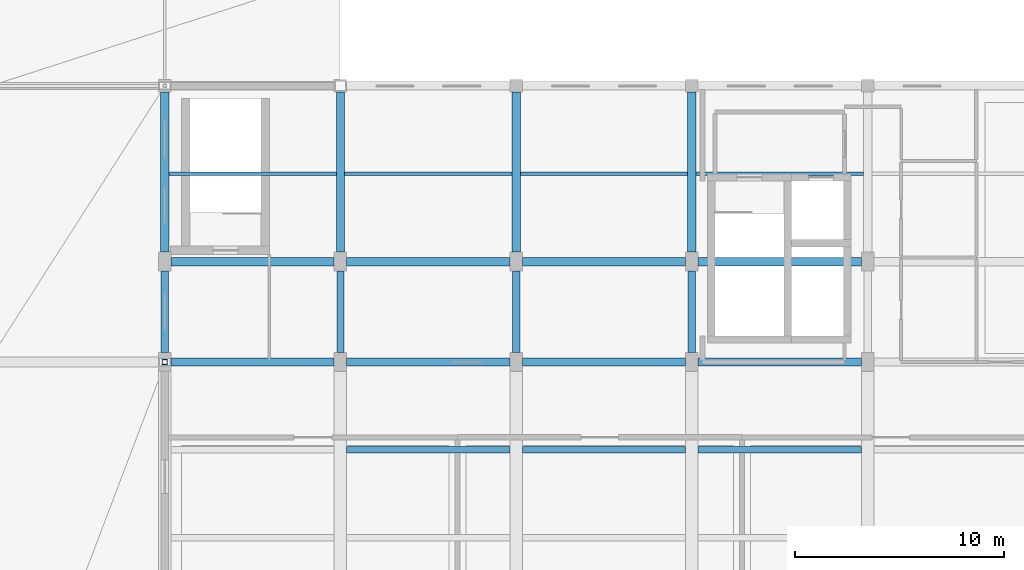
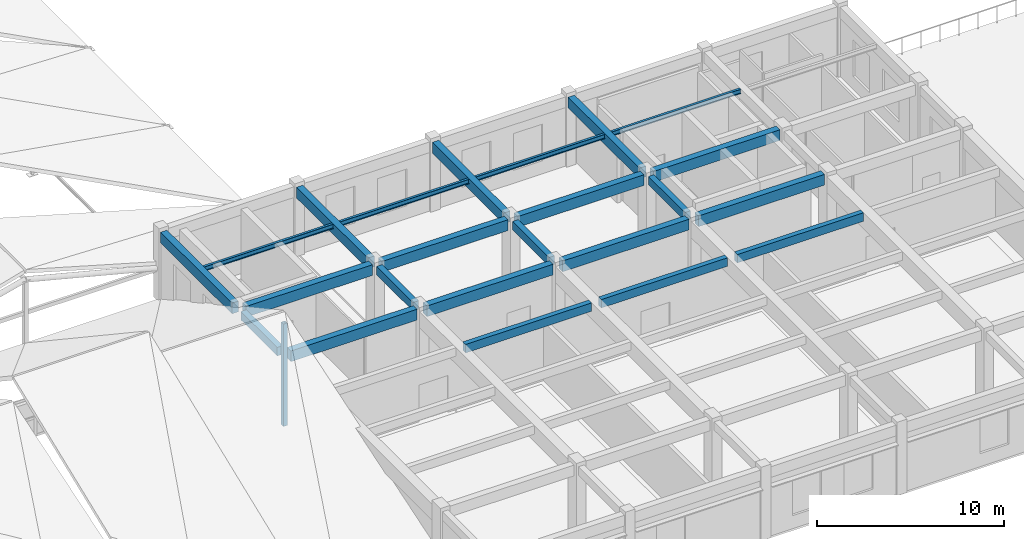
# One storey, part 9 of 76: 23 beams, 1 member.
"""IFC4 building model written with IfcOpenShell, lengths in metres."""

from ifc_helpers import new_model, si_unit, direction, frame, origin, origin_2d, place, context, subcontext, project, spatial, rectangle, hollow_rectangle, i_section, extrude, material, material_profile, profile_set, type_object, element, save


model = new_model("IFC4")

# Units and contexts
model_context = context("Model", 3, precision=1e-05, world=origin(), true_north=direction((0.0, 1.0)))
body_context = subcontext(model_context, "Body", "Model", "MODEL_VIEW")
ifc_project = project(units=[si_unit("LENGTHUNIT", "METRE"), si_unit("AREAUNIT", "SQUARE_METRE"), si_unit("VOLUMEUNIT", "CUBIC_METRE"), si_unit("PLANEANGLEUNIT", "RADIAN"), si_unit("MASSUNIT", "GRAM", prefix="KILO")], contexts=[model_context])

# Site, building, storey
site_placement = place(None, origin())
site = spatial("IfcSite", under=ifc_project, at=site_placement, CompositionType="ELEMENT")
building_placement = place(site_placement, origin())
building = spatial("IfcBuilding", under=site, at=building_placement, Name="Krzemoval Escarpment Law Courts", CompositionType="ELEMENT")
storey_placement = place(building_placement, frame((0.0, 0.0, 20.39990234375)))
storey = spatial("IfcBuildingStorey", under=building, at=storey_placement, Name="L04", CompositionType="ELEMENT", Elevation=20.39990234375)

# Beams
ifc_material_1 = material(Name="Concrete C40/50", Category="concrete")
ifc_material_profile_1 = material_profile(ifc_material_1, rectangle(XDim=0.35009765625, YDim=0.550048828125, at=origin_2d()), Name="RCB 350x550")
ifc_profile_set_1 = profile_set([ifc_material_profile_1], Name="Concrete C40/50")
beam_type_1 = type_object("IfcBeamType", Name="BM-RC-350x550", PredefinedType="BEAM", material=ifc_profile_set_1)
for number, where, z_axis, x_axis, name in (
    (1, (33.60009765625, 22.64990234375, 4.275146484375), (0.0, 1.0, 0.0), (-1.0, 0.0, 0.0), "Beam FG-L04-2484"),
    (2, (42.0, 22.64990234375, 4.275146484375), (0.0, 1.0, 0.0), (-1.0, 0.0, 0.0), "Beam FG-L04-2488"),
    (3, (50.39990234375, 22.64990234375, 4.275146484375), (0.0, 1.0, 0.0), (-1.0, 0.0, 0.0), "Beam FG-L04-2492"),
    (4, (58.800048828125, 22.64990234375, 4.275146484375), (0.0, 1.0, 0.0), (-1.0, 0.0, 0.0), "Beam FG-L04-2496"),
):
    element("IfcBeam", number, at=place(storey_placement, frame(where, z_axis=z_axis, x_axis=x_axis)), inside=storey, type_object=beam_type_1, Name=name, PredefinedType="BEAM", context=body_context, shape_type="SweptSolid", body=[
        extrude(rectangle(XDim=0.35009765625, YDim=0.550048828125, at=origin_2d()), origin(), (0.0, 0.0, 1.0), 3.900146484375),
    ])
ifc_material_2 = material(Name="Concrete C40/50", Category="concrete")
ifc_material_profile_2 = material_profile(ifc_material_2, rectangle(XDim=0.39990234375, YDim=0.699951171875, at=origin_2d()), Name="RCB 400x700")
ifc_profile_set_2 = profile_set([ifc_material_profile_2], Name="Concrete C40/50")
beam_type_2 = type_object("IfcBeamType", Name="BM-RC-400x700", PredefinedType="BEAM", material=ifc_profile_set_2)
for number, where, z_axis, x_axis, name in (
    (5, (33.89990234375, 22.199951171875, 4.2001953125), (1.0, 0.0, 0.0), (0.0, 1.0, 0.0), "Beam FG-L04-2434"),
    (6, (42.300048828125, 22.199951171875, 4.2001953125), (1.0, 0.0, 0.0), (0.0, 1.0, 0.0), "Beam FG-L04-2435"),
    (7, (50.699951171875, 22.199951171875, 4.2001953125), (1.0, 0.0, 0.0), (0.0, 1.0, 0.0), "Beam FG-L04-2436"),
):
    element("IfcBeam", number, at=place(storey_placement, frame(where, z_axis=z_axis, x_axis=x_axis)), inside=storey, type_object=beam_type_2, Name=name, PredefinedType="BEAM", context=body_context, shape_type="SweptSolid", body=[
        extrude(rectangle(XDim=0.39990234375, YDim=0.699951171875, at=origin_2d()), origin(), (0.0, 0.0, 1.0), 7.800048828125),
    ])
beam_1_placement = place(storey_placement, frame((59.10009765625, 22.199951171875, 4.2001953125), z_axis=(1.0, 0.0, 0.0), x_axis=(0.0, 1.0, 0.0)))
element("IfcBeam", 8, at=beam_1_placement, inside=storey, type_object=beam_type_2, Name="Beam FG-L04-2437", PredefinedType="BEAM", context=body_context, shape_type="SweptSolid", body=[
    extrude(rectangle(XDim=0.39990234375, YDim=0.699951171875, at=origin_2d()), origin(), (0.0, 0.0, 1.0), 7.7998046875),
])
for number, where, z_axis, x_axis, name in (
    (9, (33.89990234375, 27.0, 4.2001953125), (1.0, 0.0, 0.0), (0.0, 1.0, 0.0), "Beam FG-L04-2439"),
    (10, (42.300048828125, 27.0, 4.2001953125), (1.0, 0.0, 0.0), (0.0, 1.0, 0.0), "Beam FG-L04-2440"),
    (11, (50.699951171875, 27.0, 4.2001953125), (1.0, 0.0, 0.0), (0.0, 1.0, 0.0), "Beam FG-L04-2441"),
):
    element("IfcBeam", number, at=place(storey_placement, frame(where, z_axis=z_axis, x_axis=x_axis)), inside=storey, type_object=beam_type_2, Name=name, PredefinedType="BEAM", context=body_context, shape_type="SweptSolid", body=[
        extrude(rectangle(XDim=0.39990234375, YDim=0.699951171875, at=origin_2d()), origin(), (0.0, 0.0, 1.0), 7.800048828125),
    ])
beam_2_placement = place(storey_placement, frame((59.10009765625, 27.0, 4.2001953125), z_axis=(1.0, 0.0, 0.0), x_axis=(0.0, 1.0, 0.0)))
element("IfcBeam", 12, at=beam_2_placement, inside=storey, type_object=beam_type_2, Name="Beam FG-L04-2442", PredefinedType="BEAM", context=body_context, shape_type="SweptSolid", body=[
    extrude(rectangle(XDim=0.39990234375, YDim=0.699951171875, at=origin_2d()), origin(), (0.0, 0.0, 1.0), 7.7998046875),
])
for number, where, z_axis, x_axis, name in (
    (13, (33.60009765625, 27.449951171875, 4.2001953125), (0.0, 1.0, 0.0), (-1.0, 0.0, 0.0), "Beam FG-L04-2485"),
    (14, (42.0, 27.449951171875, 4.2001953125), (0.0, 1.0, 0.0), (-1.0, 0.0, 0.0), "Beam FG-L04-2489"),
    (15, (50.39990234375, 27.449951171875, 4.2001953125), (0.0, 1.0, 0.0), (-1.0, 0.0, 0.0), "Beam FG-L04-2493"),
    (16, (58.800048828125, 27.449951171875, 4.2001953125), (0.0, 1.0, 0.0), (-1.0, 0.0, 0.0), "Beam FG-L04-2497"),
):
    element("IfcBeam", number, at=place(storey_placement, frame(where, z_axis=z_axis, x_axis=x_axis)), inside=storey, type_object=beam_type_2, Name=name, PredefinedType="BEAM", context=body_context, shape_type="SweptSolid", body=[
        extrude(rectangle(XDim=0.39990234375, YDim=0.699951171875, at=origin_2d()), origin(), (0.0, 0.0, 1.0), 7.650146484375),
    ])
ifc_material_3 = material(Name="Concrete C40/50", Category="concrete")
ifc_material_profile_3 = material_profile(ifc_material_3, rectangle(XDim=0.300048828125, YDim=0.550048828125, at=origin_2d()), Name="RCB 300x550")
ifc_profile_set_3 = profile_set([ifc_material_profile_3], Name="Concrete C40/50")
beam_type_3 = type_object("IfcBeamType", Name="JST-RC-300x550", PredefinedType="JOIST", material=ifc_profile_set_3)
for number, where, z_axis, x_axis, name in (
    (17, (42.300048828125, 18.0, 4.275146484375), (1.0, 0.0, 0.0), (0.0, 1.0, 0.0), "Secondary Joist FJ-L04-2550"),
    (18, (50.699951171875, 18.0, 4.275146484375), (1.0, 0.0, 0.0), (0.0, 1.0, 0.0), "Secondary Joist FJ-L04-2554"),
):
    element("IfcBeam", number, at=place(storey_placement, frame(where, z_axis=z_axis, x_axis=x_axis)), inside=storey, type_object=beam_type_3, Name=name, PredefinedType="JOIST", context=body_context, shape_type="SweptSolid", body=[
        extrude(rectangle(XDim=0.300048828125, YDim=0.550048828125, at=origin_2d()), origin(), (0.0, 0.0, 1.0), 7.800048828125),
    ])
beam_3_placement = place(storey_placement, frame((59.10009765625, 18.0, 4.275146484375), z_axis=(1.0, 0.0, 0.0), x_axis=(0.0, 1.0, 0.0)))
element("IfcBeam", 19, at=beam_3_placement, inside=storey, type_object=beam_type_3, Name="Secondary Joist FJ-L04-2558", PredefinedType="JOIST", context=body_context, shape_type="SweptSolid", body=[
    extrude(rectangle(XDim=0.300048828125, YDim=0.550048828125, at=origin_2d()), origin(), (0.0, 0.0, 1.0), 7.7998046875),
])
ifc_material_4 = material(Name="Steel S355", Category="steel")
ifc_material_profile_4 = material_profile(ifc_material_4, i_section(OverallWidth=0.14990234375, OverallDepth=0.300048828125, WebThickness=0.007080078125, FlangeThickness=0.0107421875, at=origin_2d()), Name="IPE 300")
ifc_profile_set_4 = profile_set([ifc_material_profile_4], Name="Steel S355")
beam_type_4 = type_object("IfcBeamType", Name="JST-S355-IPE300", PredefinedType="JOIST", material=ifc_profile_set_4)
for number, where, z_axis, x_axis, name in (
    (20, (33.800048828125, 31.199951171875, 4.400146484375), (1.0, 0.0, 0.0), (0.0, 1.0, 0.0), "Secondary Joist FJ-L04-2547"),
    (21, (42.199951171875, 31.199951171875, 4.400146484375), (1.0, 0.0, 0.0), (0.0, 1.0, 0.0), "Secondary Joist FJ-L04-2551"),
    (22, (50.60009765625, 31.199951171875, 4.400146484375), (1.0, 0.0, 0.0), (0.0, 1.0, 0.0), "Secondary Joist FJ-L04-2555"),
    (23, (59.0, 31.199951171875, 4.400146484375), (1.0, 0.0, 0.0), (0.0, 1.0, 0.0), "Secondary Joist FJ-L04-2559"),
):
    element("IfcBeam", number, at=place(storey_placement, frame(where, z_axis=z_axis, x_axis=x_axis)), inside=storey, type_object=beam_type_4, Name=name, PredefinedType="JOIST", context=body_context, shape_type="SweptSolid", body=[
        extrude(i_section(OverallWidth=0.14990234375, OverallDepth=0.300048828125, WebThickness=0.007080078125, FlangeThickness=0.0107421875, at=origin_2d()), origin(), (0.0, 0.0, 1.0), 8.0),
    ])

# Member
ifc_material_5 = material(Name="Steel S355", Category="steel")
ifc_material_profile_5 = material_profile(ifc_material_5, hollow_rectangle(XDim=0.25, YDim=0.25, WallThickness=0.012451171875, at=origin_2d()), Name="SHS 250x250x12.5")
ifc_profile_set_5 = profile_set([ifc_material_profile_5], Name="Steel S355")
member_type = type_object("IfcMemberType", Name="MBR-STR-SHS250", PredefinedType="STRUT", material=ifc_profile_set_5)
member_placement = place(storey_placement, frame((33.60009765625, 22.199951171875, -0.27978515625), z_axis=(0.0, 0.0, 1.0), x_axis=(1.0, 0.0, 0.0)))
element("IfcMember", 24, at=member_placement, inside=storey, type_object=member_type, Name="Plenary Ridge King Strut V1-RST-336", PredefinedType="STRUT", context=body_context, shape_type="SweptSolid", body=[
    extrude(hollow_rectangle(XDim=0.25, YDim=0.25, WallThickness=0.012451171875, at=origin_2d()), origin(), (0.0, 0.0, 1.0), 6.679931640625),
])

save(model, "model.ifc")
